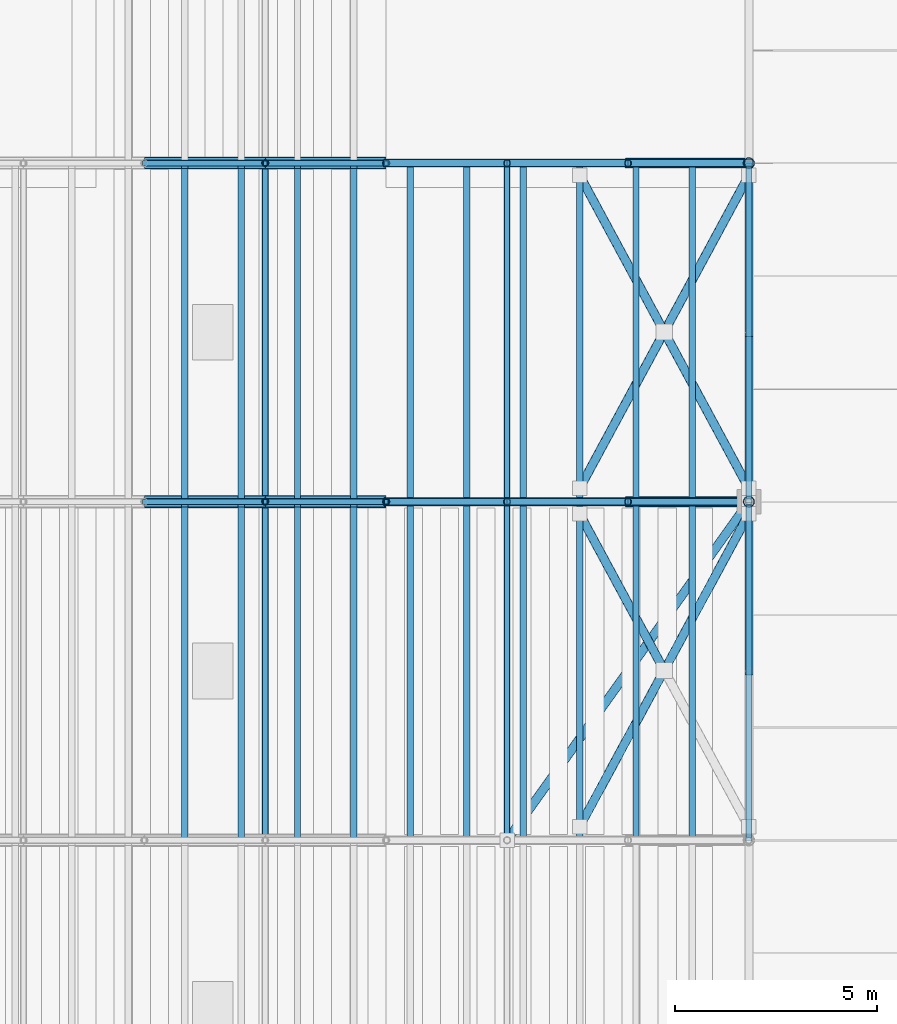
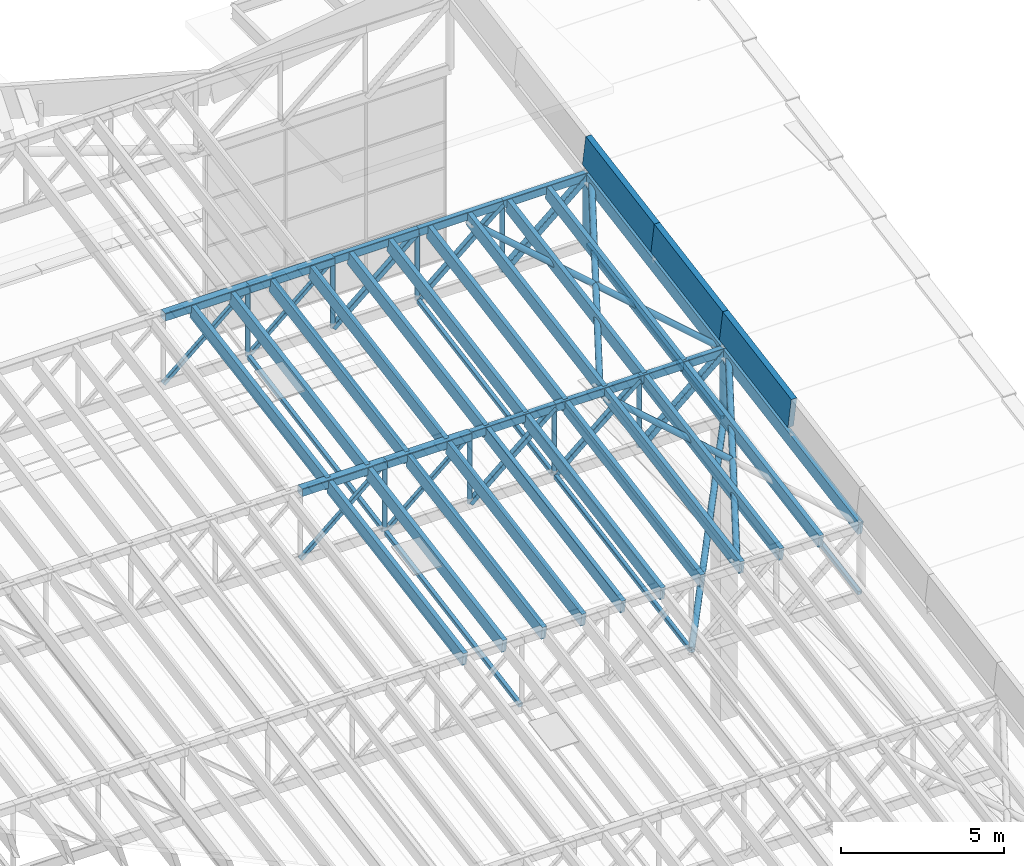
# One storey, part 50 of 91: 64 members, 3 beams.
"""IFC4 building model written with IfcOpenShell, lengths in metres."""

from ifc_helpers import new_model, si_unit, direction, frame, origin, origin_2d, place, context, subcontext, project, spatial, rectangle, hollow_rectangle, hollow_circle, extrude, material, material_profile, profile_set, type_object, element, save


model = new_model("IFC4")

# Units and contexts
model_context = context("Model", 3, precision=1e-05, world=origin(), true_north=direction((0.0, 1.0)))
body_context = subcontext(model_context, "Body", "Model", "MODEL_VIEW")
ifc_project = project(units=[si_unit("LENGTHUNIT", "METRE"), si_unit("AREAUNIT", "SQUARE_METRE"), si_unit("VOLUMEUNIT", "CUBIC_METRE"), si_unit("PLANEANGLEUNIT", "RADIAN"), si_unit("MASSUNIT", "GRAM", prefix="KILO")], contexts=[model_context])

# Site, building, storey
site_placement = place(None, origin())
site = spatial("IfcSite", under=ifc_project, at=site_placement, CompositionType="ELEMENT")
building_placement = place(site_placement, origin())
building = spatial("IfcBuilding", under=site, at=building_placement, Name="Almond Square Museum", CompositionType="ELEMENT")
storey_placement = place(building_placement, frame((0.0, 0.0, 30.0)))
storey = spatial("IfcBuildingStorey", under=building, at=storey_placement, Name="L05", CompositionType="ELEMENT", Elevation=30.0)

# Members
ifc_material_1 = material(Name="Glulam GL28h", Category="wood")
ifc_material_profile_1 = material_profile(ifc_material_1, rectangle(XDim=0.159912109375, YDim=0.5, at=origin_2d()))
ifc_profile_set_1 = profile_set([ifc_material_profile_1], Name="Glulam GL28h")
member_type_1 = type_object("IfcMemberType", Name="Glulam rafter GL28h 160x500", PredefinedType="RAFTER", material=ifc_profile_set_1)
for number, where, z_axis, x_axis, name in (
    (1, (134.800048828125, 84.030029296875, 12.02978515625), (0.0, 0.985026646226, 0.172402164214), (-1.0, 0.0, 0.0), "Hall rafter 5.21"),
    (2, (136.199951171875, 84.030029296875, 12.02978515625), (0.0, 0.985026646226, 0.172402164214), (-1.0, 0.0, 0.0), "Hall rafter 5.22"),
    (3, (137.60009765625, 84.030029296875, 12.02978515625), (0.0, 0.985026646226, 0.172402164214), (-1.0, 0.0, 0.0), "Hall rafter 5.23"),
    (4, (139.0, 84.030029296875, 12.02978515625), (0.0, 0.985026646226, 0.172402164214), (-1.0, 0.0, 0.0), "Hall rafter 5.24"),
):
    element("IfcMember", number, at=place(storey_placement, frame(where, z_axis=z_axis, x_axis=x_axis)), inside=storey, type_object=member_type_1, Name=name, PredefinedType="RAFTER", context=body_context, shape_type="SweptSolid", body=[
        extrude(rectangle(XDim=0.159912109375, YDim=0.5, at=origin_2d()), origin(), (0.0, 0.0, 1.0), 8.408935546875),
    ])
for number, where, z_axis, x_axis, name in (
    (5, (140.39990234375, 84.030029296875, 12.02978515625), (0.0, 0.985026056556, 0.172405533279), (-1.0, 0.0, 0.0), "Hall rafter 5.25"),
    (6, (141.800048828125, 84.030029296875, 12.02978515625), (0.0, 0.985026056556, 0.172405533279), (-1.0, 0.0, 0.0), "Hall rafter 5.26"),
    (7, (143.199951171875, 84.030029296875, 12.02978515625), (0.0, 0.985026056556, 0.172405533279), (-1.0, 0.0, 0.0), "Hall rafter 5.27"),
    (8, (144.60009765625, 84.030029296875, 12.02978515625), (0.0, 0.985026056556, 0.172405533279), (-1.0, 0.0, 0.0), "Hall rafter 5.28"),
    (9, (146.0, 84.030029296875, 12.02978515625), (0.0, 0.985026056556, 0.172405533279), (-1.0, 0.0, 0.0), "Hall rafter 5.29"),
    (10, (147.39990234375, 84.030029296875, 12.02978515625), (0.0, 0.985026056556, 0.172405533279), (-1.0, 0.0, 0.0), "Hall rafter 5.30"),
    (11, (148.800048828125, 84.030029296875, 12.02978515625), (0.0, 0.985026056556, 0.172405533279), (-1.0, 0.0, 0.0), "Hall rafter 5.31"),
):
    element("IfcMember", number, at=place(storey_placement, frame(where, z_axis=z_axis, x_axis=x_axis)), inside=storey, type_object=member_type_1, Name=name, PredefinedType="RAFTER", context=body_context, shape_type="SweptSolid", body=[
        extrude(rectangle(XDim=0.159912109375, YDim=0.5, at=origin_2d()), origin(), (0.0, 0.0, 1.0), 8.459716796875),
    ])
for number, where, z_axis, x_axis, name in (
    (12, (134.800048828125, 92.429931640625, 13.5), (0.0, 0.985032439013, 0.172369063618), (-1.0, 0.0, 0.0), "Hall rafter 6.21"),
    (13, (136.199951171875, 92.429931640625, 13.5), (0.0, 0.985032439013, 0.172369063618), (-1.0, 0.0, 0.0), "Hall rafter 6.22"),
    (14, (137.60009765625, 92.429931640625, 13.5), (0.0, 0.985032439013, 0.172369063618), (-1.0, 0.0, 0.0), "Hall rafter 6.23"),
    (15, (139.0, 92.429931640625, 13.5), (0.0, 0.985032439013, 0.172369063618), (-1.0, 0.0, 0.0), "Hall rafter 6.24"),
):
    element("IfcMember", number, at=place(storey_placement, frame(where, z_axis=z_axis, x_axis=x_axis)), inside=storey, type_object=member_type_1, Name=name, PredefinedType="RAFTER", context=body_context, shape_type="SweptSolid", body=[
        extrude(rectangle(XDim=0.159912109375, YDim=0.5, at=origin_2d()), origin(), (0.0, 0.0, 1.0), 8.4091796875),
    ])
for number, where, z_axis, x_axis, name in (
    (16, (140.39990234375, 92.429931640625, 13.5), (0.0, 0.985031814679, 0.172372631444), (-1.0, 0.0, 0.0), "Hall rafter 6.25"),
    (17, (141.800048828125, 92.429931640625, 13.5), (0.0, 0.985031814679, 0.172372631444), (-1.0, 0.0, 0.0), "Hall rafter 6.26"),
    (18, (143.199951171875, 92.429931640625, 13.5), (0.0, 0.985031814679, 0.172372631444), (-1.0, 0.0, 0.0), "Hall rafter 6.27"),
    (19, (144.60009765625, 92.429931640625, 13.5), (0.0, 0.985031814679, 0.172372631444), (-1.0, 0.0, 0.0), "Hall rafter 6.28"),
    (20, (146.0, 92.429931640625, 13.5), (0.0, 0.985031814679, 0.172372631444), (-1.0, 0.0, 0.0), "Hall rafter 6.29"),
    (21, (147.39990234375, 92.429931640625, 13.5), (0.0, 0.985031814679, 0.172372631444), (-1.0, 0.0, 0.0), "Hall rafter 6.30"),
    (22, (148.800048828125, 92.429931640625, 13.5), (0.0, 0.985031814679, 0.172372631444), (-1.0, 0.0, 0.0), "Hall rafter 6.31"),
):
    element("IfcMember", number, at=place(storey_placement, frame(where, z_axis=z_axis, x_axis=x_axis)), inside=storey, type_object=member_type_1, Name=name, PredefinedType="RAFTER", context=body_context, shape_type="SweptSolid", body=[
        extrude(rectangle(XDim=0.159912109375, YDim=0.5, at=origin_2d()), origin(), (0.0, 0.0, 1.0), 8.4599609375),
    ])

# Beams
ifc_material_2 = material(Name="Glulam GL28h", Category="wood")
ifc_material_profile_2 = material_profile(ifc_material_2, rectangle(XDim=0.199951171875, YDim=1.199951171875, at=origin_2d()))
ifc_profile_set_2 = profile_set([ifc_material_profile_2], Name="Glulam GL28h")
beam_type = type_object("IfcBeamType", Name="Rake fascia beam GL28h 200x1200", PredefinedType="BEAM", material=ifc_profile_set_2)
for number, where, z_axis, x_axis, name in (
    (23, (148.800048828125, 88.199951171875, 13.81494140625), (0.0, 0.985025848584, 0.172406721507), (-1.0, 0.0, 0.0), "Gable rake fascia E 10"),
    (24, (148.800048828125, 92.39990234375, 14.550048828125), (0.0, 0.985037271866, 0.172341443171), (-1.0, 0.0, 0.0), "Gable rake fascia E 11"),
    (25, (148.800048828125, 96.60009765625, 15.284912109375), (0.0, 0.985025848584, 0.172406721507), (-1.0, 0.0, 0.0), "Gable rake fascia E 12"),
):
    element("IfcBeam", number, at=place(storey_placement, frame(where, z_axis=z_axis, x_axis=x_axis)), inside=storey, type_object=beam_type, Name=name, PredefinedType="BEAM", context=body_context, shape_type="SweptSolid", body=[
        extrude(rectangle(XDim=0.199951171875, YDim=1.199951171875, at=origin_2d()), origin(), (0.0, 0.0, 1.0), 4.263916015625),
    ])

# Members
ifc_material_3 = material(Name="Structural steel S355", Category="steel")
ifc_material_profile_3 = material_profile(ifc_material_3, hollow_circle(Radius=0.109619140625, WallThickness=0.010009765625, at=origin_2d()))
ifc_profile_set_3 = profile_set([ifc_material_profile_3], Name="Structural steel S355")
member_type_2 = type_object("IfcMemberType", Name="Roof brace CHS 219.1x10", PredefinedType="BRACE", material=ifc_profile_set_3)
member_1_placement = place(storey_placement, frame((142.800048828125, 84.0, 9.580078125), z_axis=(0.575437525573, 0.805603169958, 0.140979384012), x_axis=(-0.813730275137, 0.581242668191, 0.0)))
element("IfcMember", 26, at=member_1_placement, inside=storey, type_object=member_type_2, Name="Hall bay 5 plan brace", PredefinedType="BRACE", context=body_context, shape_type="SweptSolid", body=[
    extrude(hollow_circle(Radius=0.109619140625, WallThickness=0.010009765625, at=origin_2d()), origin(), (0.0, 0.0, 1.0), 10.4267578125),
])
for number, where, z_axis, x_axis, name in (
    (27, (144.60009765625, 84.330078125, 12.08251953125), (0.469976234264, 0.869468327134, 0.152141931559), (-0.879709326121, 0.475511831121, 0.0), "Hall roof plane brace 5"),
    (28, (144.60009765625, 92.72998046875, 13.552490234375), (0.469976234264, 0.869468327134, 0.152141931559), (-0.879709326121, 0.475511831121, 0.0), "Hall roof plane brace 6"),
):
    element("IfcMember", number, at=place(storey_placement, frame(where, z_axis=z_axis, x_axis=x_axis)), inside=storey, type_object=member_type_2, Name=name, PredefinedType="BRACE", context=body_context, shape_type="SweptSolid", body=[
        extrude(hollow_circle(Radius=0.109619140625, WallThickness=0.010009765625, at=origin_2d()), origin(), (0.0, 0.0, 1.0), 8.9365234375),
    ])
for number, where, z_axis, x_axis, name in (
    (29, (148.800048828125, 92.72998046875, 13.552490234375), (-0.46999556541, 0.86945354945, 0.15216666469), (-0.879697763355, -0.475533221918, 0.0), "Hall roof plane brace 6"),
    (30, (146.699951171875, 88.215087890625, 12.76220703125), (-0.469952995123, 0.869475876223, 0.152170572191), (-0.87972088867, -0.47549043948, 0.0), "Hall roof plane brace 5"),
    (31, (146.699951171875, 96.614990234375, 14.232421875), (-0.469956901895, 0.869483104273, 0.152117197404), (-0.87972088867, -0.47549043948, 0.0), "Hall roof plane brace 6"),
):
    element("IfcMember", number, at=place(storey_placement, frame(where, z_axis=z_axis, x_axis=x_axis)), inside=storey, type_object=member_type_2, Name=name, PredefinedType="BRACE", context=body_context, shape_type="SweptSolid", body=[
        extrude(hollow_circle(Radius=0.109619140625, WallThickness=0.010009765625, at=origin_2d()), origin(), (0.0, 0.0, 1.0), 4.46826171875),
    ])
ifc_material_4 = material(Name="Structural steel S355", Category="steel")
ifc_material_profile_4 = material_profile(ifc_material_4, hollow_rectangle(XDim=0.199951171875, YDim=0.300048828125, WallThickness=0.010009765625, InnerFilletRadius=0.014892578125, OuterFilletRadius=0.02490234375, at=origin_2d()))
ifc_profile_set_4 = profile_set([ifc_material_profile_4], Name="Structural steel S355")
member_type_3 = type_object("IfcMemberType", Name="Truss chord RHS 300x200x10", PredefinedType="CHORD", material=ifc_profile_set_4)
for number, where, z_axis, x_axis, name in (
    (32, (139.800048828125, 92.39990234375, 13.598388671875), (1.0, 0.0, 0.0), (0.0, 1.0, 0.0), "TR-06 top chord 12"),
    (33, (142.800048828125, 92.39990234375, 13.598388671875), (1.0, 0.0, 0.0), (0.0, 1.0, 0.0), "TR-06 top chord 13"),
    (34, (145.800048828125, 92.39990234375, 13.598388671875), (1.0, 0.0, 0.0), (0.0, 1.0, 0.0), "TR-06 top chord 14"),
    (35, (139.800048828125, 100.800048828125, 15.068603515625), (1.0, 0.0, 0.0), (0.0, 1.0, 0.0), "TR-07 top chord 12"),
    (36, (142.800048828125, 100.800048828125, 15.068603515625), (1.0, 0.0, 0.0), (0.0, 1.0, 0.0), "TR-07 top chord 13"),
    (37, (145.800048828125, 100.800048828125, 15.068603515625), (1.0, 0.0, 0.0), (0.0, 1.0, 0.0), "TR-07 top chord 14"),
):
    element("IfcMember", number, at=place(storey_placement, frame(where, z_axis=z_axis, x_axis=x_axis)), inside=storey, type_object=member_type_3, Name=name, PredefinedType="CHORD", context=body_context, shape_type="SweptSolid", body=[
        extrude(hollow_rectangle(XDim=0.199951171875, YDim=0.300048828125, WallThickness=0.010009765625, InnerFilletRadius=0.014892578125, OuterFilletRadius=0.02490234375, at=origin_2d()), origin(), (0.0, 0.0, 1.0), 3.0),
    ])
ifc_material_5 = material(Name="Structural steel S355", Category="steel")
ifc_material_profile_5 = material_profile(ifc_material_5, hollow_rectangle(XDim=0.300048828125, YDim=0.300048828125, WallThickness=0.012451171875, InnerFilletRadius=0.02490234375, OuterFilletRadius=0.03759765625, at=origin_2d()))
ifc_profile_set_5 = profile_set([ifc_material_profile_5], Name="Structural steel S355")
member_type_4 = type_object("IfcMemberType", Name="Truss chord SHS 300x300x12.5", PredefinedType="CHORD", material=ifc_profile_set_5)
for number, where, z_axis, x_axis, name in (
    (38, (133.800048828125, 92.39990234375, 13.598388671875), (1.0, 0.0, 0.0), (0.0, 1.0, 0.0), "TR-06 top chord 10"),
    (39, (136.800048828125, 92.39990234375, 13.598388671875), (1.0, 0.0, 0.0), (0.0, 1.0, 0.0), "TR-06 top chord 11"),
    (40, (133.800048828125, 100.800048828125, 15.068603515625), (1.0, 0.0, 0.0), (0.0, 1.0, 0.0), "TR-07 top chord 10"),
    (41, (136.800048828125, 100.800048828125, 15.068603515625), (1.0, 0.0, 0.0), (0.0, 1.0, 0.0), "TR-07 top chord 11"),
):
    element("IfcMember", number, at=place(storey_placement, frame(where, z_axis=z_axis, x_axis=x_axis)), inside=storey, type_object=member_type_4, Name=name, PredefinedType="CHORD", context=body_context, shape_type="SweptSolid", body=[
        extrude(hollow_rectangle(XDim=0.300048828125, YDim=0.300048828125, WallThickness=0.012451171875, InnerFilletRadius=0.02490234375, OuterFilletRadius=0.03759765625, at=origin_2d()), origin(), (0.0, 0.0, 1.0), 3.0),
    ])
ifc_material_6 = material(Name="Structural steel S355", Category="steel")
ifc_material_profile_6 = material_profile(ifc_material_6, hollow_rectangle(XDim=0.14990234375, YDim=0.14990234375, WallThickness=0.008056640625, InnerFilletRadius=0.011962890625, OuterFilletRadius=0.02001953125, at=origin_2d()))
ifc_profile_set_6 = profile_set([ifc_material_profile_6], Name="Structural steel S355")
member_type_5 = type_object("IfcMemberType", Name="Truss diagonal SHS 150x150x8", PredefinedType="BRACE", material=ifc_profile_set_6)
for number, where, z_axis, x_axis, name in (
    (42, (133.800048828125, 92.39990234375, 11.050048828125), (0.762147404437, 0.0, 0.647403532513), (0.0, 1.0, 0.0), "TR-06 diagonal 10"),
    (43, (136.800048828125, 92.39990234375, 11.050048828125), (0.762147404437, 0.0, 0.647403532513), (0.0, 1.0, 0.0), "TR-06 diagonal 11"),
):
    element("IfcMember", number, at=place(storey_placement, frame(where, z_axis=z_axis, x_axis=x_axis)), inside=storey, type_object=member_type_5, Name=name, PredefinedType="BRACE", context=body_context, shape_type="SweptSolid", body=[
        extrude(hollow_rectangle(XDim=0.14990234375, YDim=0.14990234375, WallThickness=0.008056640625, InnerFilletRadius=0.011962890625, OuterFilletRadius=0.02001953125, at=origin_2d()), origin(), (0.0, 0.0, 1.0), 3.936279296875),
    ])
for number, where, z_axis, x_axis, name in (
    (44, (133.800048828125, 100.800048828125, 12.52001953125), (0.762116801264, 0.0, 0.647439557975), (0.0, 1.0, 0.0), "TR-07 diagonal 10"),
    (45, (136.800048828125, 100.800048828125, 12.52001953125), (0.762116801264, 0.0, 0.647439557975), (0.0, 1.0, 0.0), "TR-07 diagonal 11"),
):
    element("IfcMember", number, at=place(storey_placement, frame(where, z_axis=z_axis, x_axis=x_axis)), inside=storey, type_object=member_type_5, Name=name, PredefinedType="BRACE", context=body_context, shape_type="SweptSolid", body=[
        extrude(hollow_rectangle(XDim=0.14990234375, YDim=0.14990234375, WallThickness=0.008056640625, InnerFilletRadius=0.011962890625, OuterFilletRadius=0.02001953125, at=origin_2d()), origin(), (0.0, 0.0, 1.0), 3.9365234375),
    ])
ifc_material_7 = material(Name="Structural steel S355", Category="steel")
ifc_material_profile_7 = material_profile(ifc_material_7, hollow_rectangle(XDim=0.199951171875, YDim=0.199951171875, WallThickness=0.010009765625, InnerFilletRadius=0.014892578125, OuterFilletRadius=0.02490234375, at=origin_2d()))
ifc_profile_set_7 = profile_set([ifc_material_profile_7], Name="Structural steel S355")
member_type_6 = type_object("IfcMemberType", Name="Truss diagonal SHS 200x200x10", PredefinedType="BRACE", material=ifc_profile_set_7)
for number, where, z_axis, x_axis, name in (
    (46, (139.800048828125, 92.39990234375, 11.050048828125), (0.762147404437, 0.0, 0.647403532513), (0.0, 1.0, 0.0), "TR-06 diagonal 12"),
    (47, (142.800048828125, 92.39990234375, 11.050048828125), (0.762147404437, 0.0, 0.647403532513), (0.0, 1.0, 0.0), "TR-06 diagonal 13"),
):
    element("IfcMember", number, at=place(storey_placement, frame(where, z_axis=z_axis, x_axis=x_axis)), inside=storey, type_object=member_type_6, Name=name, PredefinedType="BRACE", context=body_context, shape_type="SweptSolid", body=[
        extrude(hollow_rectangle(XDim=0.199951171875, YDim=0.199951171875, WallThickness=0.010009765625, InnerFilletRadius=0.014892578125, OuterFilletRadius=0.02490234375, at=origin_2d()), origin(), (0.0, 0.0, 1.0), 3.936279296875),
    ])
for number, where, z_axis, x_axis, name in (
    (48, (139.800048828125, 100.800048828125, 12.52001953125), (0.762116801264, 0.0, 0.647439557975), (0.0, 1.0, 0.0), "TR-07 diagonal 12"),
    (49, (142.800048828125, 100.800048828125, 12.52001953125), (0.762116801264, 0.0, 0.647439557975), (0.0, 1.0, 0.0), "TR-07 diagonal 13"),
):
    element("IfcMember", number, at=place(storey_placement, frame(where, z_axis=z_axis, x_axis=x_axis)), inside=storey, type_object=member_type_6, Name=name, PredefinedType="BRACE", context=body_context, shape_type="SweptSolid", body=[
        extrude(hollow_rectangle(XDim=0.199951171875, YDim=0.199951171875, WallThickness=0.010009765625, InnerFilletRadius=0.014892578125, OuterFilletRadius=0.02490234375, at=origin_2d()), origin(), (0.0, 0.0, 1.0), 3.9365234375),
    ])
ifc_material_8 = material(Name="Structural steel S355", Category="steel")
ifc_material_profile_8 = material_profile(ifc_material_8, hollow_rectangle(XDim=0.25, YDim=0.25, WallThickness=0.012451171875, InnerFilletRadius=0.02490234375, OuterFilletRadius=0.03759765625, at=origin_2d()))
ifc_profile_set_8 = profile_set([ifc_material_profile_8], Name="Structural steel S355")
member_type_7 = type_object("IfcMemberType", Name="Truss diagonal SHS 250x250x12.5", PredefinedType="BRACE", material=ifc_profile_set_8)
member_2_placement = place(storey_placement, frame((145.800048828125, 92.39990234375, 11.050048828125), z_axis=(0.762147404437, 0.0, 0.647403532513), x_axis=(0.0, 1.0, 0.0)))
element("IfcMember", 50, at=member_2_placement, inside=storey, type_object=member_type_7, Name="TR-06 diagonal 14", PredefinedType="BRACE", context=body_context, shape_type="SweptSolid", body=[
    extrude(hollow_rectangle(XDim=0.25, YDim=0.25, WallThickness=0.012451171875, InnerFilletRadius=0.02490234375, OuterFilletRadius=0.03759765625, at=origin_2d()), origin(), (0.0, 0.0, 1.0), 3.936279296875),
])
member_3_placement = place(storey_placement, frame((145.800048828125, 100.800048828125, 12.52001953125), z_axis=(0.762116801264, 0.0, 0.647439557975), x_axis=(0.0, 1.0, 0.0)))
element("IfcMember", 51, at=member_3_placement, inside=storey, type_object=member_type_7, Name="TR-07 diagonal 14", PredefinedType="BRACE", context=body_context, shape_type="SweptSolid", body=[
    extrude(hollow_rectangle(XDim=0.25, YDim=0.25, WallThickness=0.012451171875, InnerFilletRadius=0.02490234375, OuterFilletRadius=0.03759765625, at=origin_2d()), origin(), (0.0, 0.0, 1.0), 3.9365234375),
])
ifc_material_9 = material(Name="Structural steel S355", Category="steel")
ifc_material_profile_9 = material_profile(ifc_material_9, hollow_circle(Radius=0.084228515625, WallThickness=0.008056640625, at=origin_2d()))
ifc_profile_set_9 = profile_set([ifc_material_profile_9], Name="Structural steel S355")
member_type_8 = type_object("IfcMemberType", Name="Truss post CHS 168.3x8", PredefinedType="POST", material=ifc_profile_set_9)
for number, where, z_axis, x_axis, name in (
    (52, (136.800048828125, 92.39990234375, 11.050048828125), (0.0, 0.0, 1.0), (1.0, 0.0, 0.0), "TR-06 post 11"),
    (53, (139.800048828125, 92.39990234375, 11.050048828125), (0.0, 0.0, 1.0), (1.0, 0.0, 0.0), "TR-06 post 12"),
    (54, (142.800048828125, 92.39990234375, 11.050048828125), (0.0, 0.0, 1.0), (1.0, 0.0, 0.0), "TR-06 post 13"),
    (55, (145.800048828125, 92.39990234375, 11.050048828125), (0.0, 0.0, 1.0), (1.0, 0.0, 0.0), "TR-06 post 14"),
):
    element("IfcMember", number, at=place(storey_placement, frame(where, z_axis=z_axis, x_axis=x_axis)), inside=storey, type_object=member_type_8, Name=name, PredefinedType="POST", context=body_context, shape_type="SweptSolid", body=[
        extrude(hollow_circle(Radius=0.084228515625, WallThickness=0.008056640625, at=origin_2d()), origin(), (0.0, 0.0, 1.0), 2.54833984375),
    ])
for number, where, z_axis, x_axis, name in (
    (56, (136.800048828125, 100.800048828125, 12.52001953125), (0.0, 0.0, 1.0), (1.0, 0.0, 0.0), "TR-07 post 11"),
    (57, (139.800048828125, 100.800048828125, 12.52001953125), (0.0, 0.0, 1.0), (1.0, 0.0, 0.0), "TR-07 post 12"),
    (58, (142.800048828125, 100.800048828125, 12.52001953125), (0.0, 0.0, 1.0), (1.0, 0.0, 0.0), "TR-07 post 13"),
    (59, (145.800048828125, 100.800048828125, 12.52001953125), (0.0, 0.0, 1.0), (1.0, 0.0, 0.0), "TR-07 post 14"),
):
    element("IfcMember", number, at=place(storey_placement, frame(where, z_axis=z_axis, x_axis=x_axis)), inside=storey, type_object=member_type_8, Name=name, PredefinedType="POST", context=body_context, shape_type="SweptSolid", body=[
        extrude(hollow_circle(Radius=0.084228515625, WallThickness=0.008056640625, at=origin_2d()), origin(), (0.0, 0.0, 1.0), 2.548583984375),
    ])
ifc_material_10 = material(Name="Structural steel S355", Category="steel")
ifc_material_profile_10 = material_profile(ifc_material_10, hollow_circle(Radius=0.136474609375, WallThickness=0.012451171875, at=origin_2d()))
ifc_profile_set_10 = profile_set([ifc_material_profile_10], Name="Structural steel S355")
member_type_9 = type_object("IfcMemberType", Name="Truss post CHS 273x12.5", PredefinedType="POST", material=ifc_profile_set_10)
member_4_placement = place(storey_placement, frame((148.800048828125, 92.39990234375, 11.050048828125), z_axis=(0.0, 0.0, 1.0), x_axis=(1.0, 0.0, 0.0)))
element("IfcMember", 60, at=member_4_placement, inside=storey, type_object=member_type_9, Name="TR-06 post 15", PredefinedType="POST", context=body_context, shape_type="SweptSolid", body=[
    extrude(hollow_circle(Radius=0.136474609375, WallThickness=0.012451171875, at=origin_2d()), origin(), (0.0, 0.0, 1.0), 2.54833984375),
])
member_5_placement = place(storey_placement, frame((148.800048828125, 100.800048828125, 12.52001953125), z_axis=(0.0, 0.0, 1.0), x_axis=(1.0, 0.0, 0.0)))
element("IfcMember", 61, at=member_5_placement, inside=storey, type_object=member_type_9, Name="TR-07 post 15", PredefinedType="POST", context=body_context, shape_type="SweptSolid", body=[
    extrude(hollow_circle(Radius=0.136474609375, WallThickness=0.012451171875, at=origin_2d()), origin(), (0.0, 0.0, 1.0), 2.548583984375),
])
ifc_material_11 = material(Name="Structural steel S355", Category="steel")
ifc_material_profile_11 = material_profile(ifc_material_11, hollow_rectangle(XDim=0.14990234375, YDim=0.14990234375, WallThickness=0.008056640625, InnerFilletRadius=0.011962890625, OuterFilletRadius=0.02001953125, at=origin_2d()))
ifc_profile_set_11 = profile_set([ifc_material_profile_11], Name="Structural steel S355")
member_type_10 = type_object("IfcMemberType", Name="Truss tie SHS 150x150x8", PredefinedType="MEMBER", material=ifc_profile_set_11)
for number, where, z_axis, x_axis, name in (
    (62, (136.800048828125, 84.074951171875, 9.580078125), (0.0, 0.984494486924, 0.175415521596), (-1.0, 0.0, 0.0), "Hall bay 5 tie 6"),
    (63, (142.800048828125, 84.074951171875, 9.580078125), (0.0, 0.984494486924, 0.175415521596), (-1.0, 0.0, 0.0), "Hall bay 5 tie 7"),
    (64, (148.800048828125, 84.074951171875, 9.580078125), (0.0, 0.984494486924, 0.175415521596), (-1.0, 0.0, 0.0), "Hall bay 5 tie 8"),
    (65, (136.800048828125, 92.47509765625, 11.050048828125), (0.0, 0.984494486924, 0.175415521596), (-1.0, 0.0, 0.0), "Hall bay 6 tie 6"),
    (66, (142.800048828125, 92.47509765625, 11.050048828125), (0.0, 0.984494486924, 0.175415521596), (-1.0, 0.0, 0.0), "Hall bay 6 tie 7"),
    (67, (148.800048828125, 92.47509765625, 11.050048828125), (0.0, 0.984494486924, 0.175415521596), (-1.0, 0.0, 0.0), "Hall bay 6 tie 8"),
):
    element("IfcMember", number, at=place(storey_placement, frame(where, z_axis=z_axis, x_axis=x_axis)), inside=storey, type_object=member_type_10, Name=name, PredefinedType="MEMBER", context=body_context, shape_type="SweptSolid", body=[
        extrude(hollow_rectangle(XDim=0.14990234375, YDim=0.14990234375, WallThickness=0.008056640625, InnerFilletRadius=0.011962890625, OuterFilletRadius=0.02001953125, at=origin_2d()), origin(), (0.0, 0.0, 1.0), 8.3798828125),
    ])

save(model, "model.ifc")
